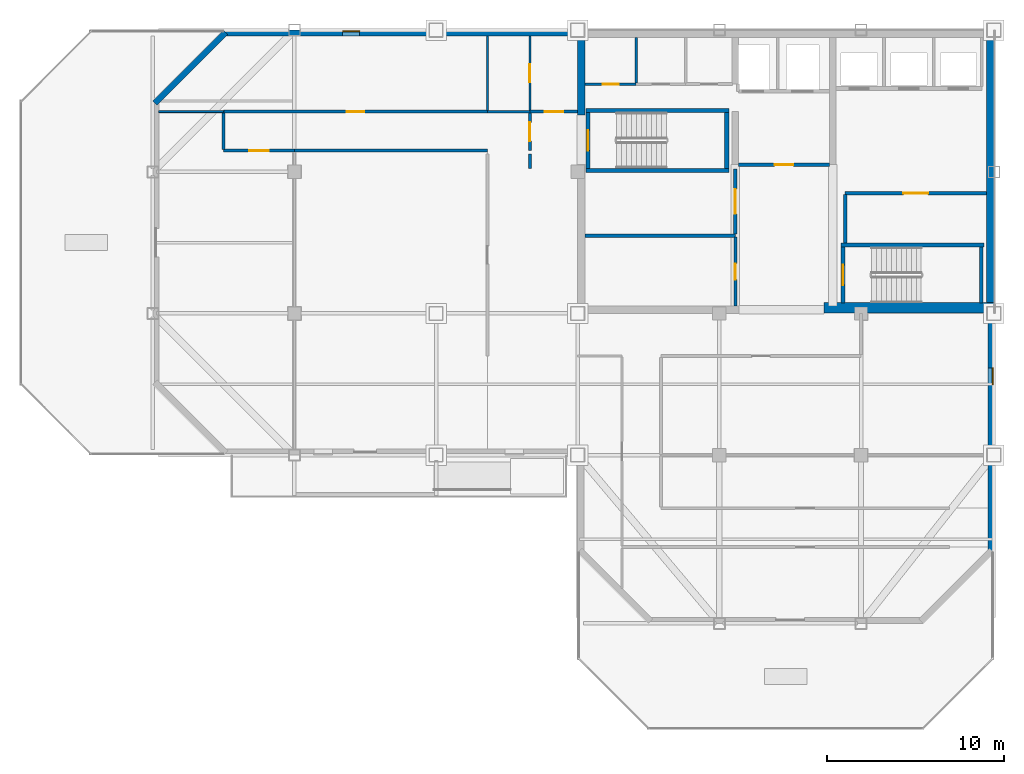
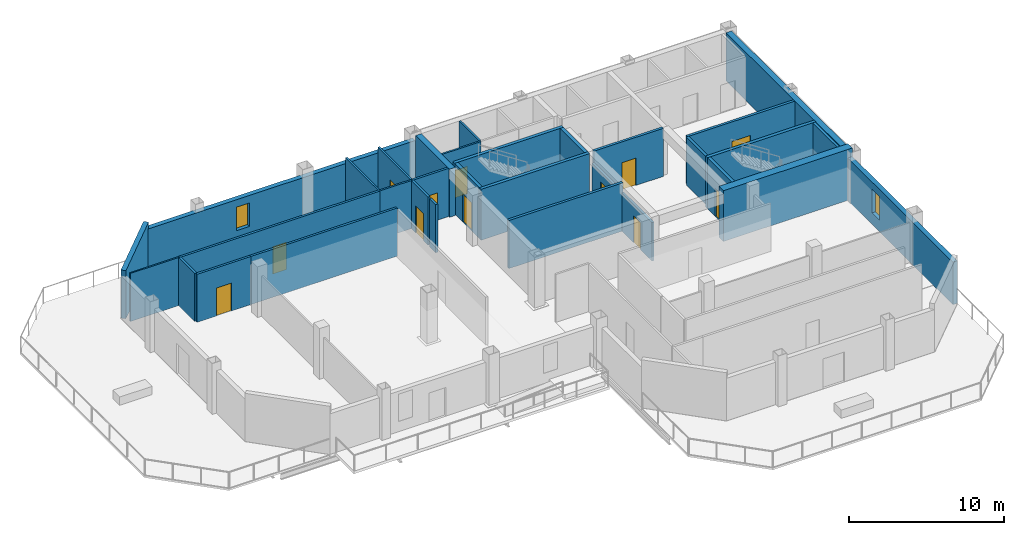
# One storey, part 3 of 8: 32 walls, 12 doors, 2 windows, 14 openings.
"""IFC4 building model written with IfcOpenShell, lengths in metres."""

from ifc_helpers import new_model, si_unit, direction, frame, frame_2d, origin, place, context, subcontext, project, spatial, rectangle, extrude, material, layer, layer_set, type_object, element, fill, save


model = new_model("IFC4")

# Units and contexts
model_context = context("Model", 3, precision=1e-05, world=origin(), true_north=direction((0.0, 1.0)))
body_context = subcontext(model_context, "Body", "Model", "MODEL_VIEW")
ifc_project = project(units=[si_unit("LENGTHUNIT", "METRE"), si_unit("AREAUNIT", "SQUARE_METRE"), si_unit("VOLUMEUNIT", "CUBIC_METRE"), si_unit("PLANEANGLEUNIT", "RADIAN"), si_unit("MASSUNIT", "GRAM", prefix="KILO")], contexts=[model_context])

# Site, building, storey
site_placement = place(None, origin())
site = spatial("IfcSite", under=ifc_project, at=site_placement, CompositionType="ELEMENT")
building_placement = place(site_placement, origin())
building = spatial("IfcBuilding", under=site, at=building_placement, Name="Qianrong Seaharbour Tower", CompositionType="ELEMENT")
storey_placement = place(building_placement, frame((0.0, 0.0, 287.199951171875)))
storey = spatial("IfcBuildingStorey", under=building, at=storey_placement, Name="L69", CompositionType="ELEMENT", Elevation=287.199951171875)

# Walls
ifc_material_1 = material(Name="Concrete C50/60", Category="concrete")
ifc_layer_1 = layer(ifc_material_1, 0.419921875)
ifc_layer_set_1 = layer_set([ifc_layer_1], Name="Concrete C50/60")
wall_type_1 = type_object("IfcWallType", Name="WALL-CORE-420", PredefinedType="SHEAR", material=ifc_layer_set_1)
wall_1_placement = place(storey_placement, frame((63.7900390625, 36.320068359375, 0.0), z_axis=(0.0, 0.0, 1.0), x_axis=(0.0, 1.0, 0.0)))
element("IfcWall", 1, at=wall_1_placement, inside=storey, type_object=wall_type_1, Name="L69 East Core Shear Wall", PredefinedType="SHEAR", context=body_context, shape_type="SweptSolid", body=[
    extrude(rectangle(XDim=15.260009765625, YDim=0.419921875, at=frame_2d((7.6298828125, 0.0))), origin(), (0.0, 0.0, 1.0), 3.78515625),
])
wall_2_placement = place(storey_placement, frame((40.7099609375, 47.199951171875, 0.0), z_axis=(0.0, 0.0, 1.0), x_axis=(0.0, 1.0, 0.0)))
element("IfcWall", 2, at=wall_2_placement, inside=storey, type_object=wall_type_1, Name="L69 West Core Shear Wall North", PredefinedType="SHEAR", context=body_context, shape_type="SweptSolid", body=[
    extrude(rectangle(XDim=4.380126953125, YDim=0.419921875, at=frame_2d((2.18994140625, 0.0))), origin(), (0.0, 0.0, 1.0), 3.78515625),
])
ifc_material_2 = material(Name="Concrete C70/85", Category="concrete")
ifc_layer_2 = layer(ifc_material_2, 0.580078125)
ifc_layer_set_2 = layer_set([ifc_layer_2], Name="Concrete C70/85")
wall_type_2 = type_object("IfcWallType", Name="WALL-CORE-580", PredefinedType="SHEAR", material=ifc_layer_set_2)
wall_3_placement = place(storey_placement, frame((54.39990234375, 36.320068359375, 0.0), z_axis=(0.0, 0.0, 1.0), x_axis=(1.0, 0.0, 0.0)))
element("IfcWall", 3, at=wall_3_placement, inside=storey, type_object=wall_type_2, Name="L69 South Core Shear Wall S3", PredefinedType="SHEAR", context=body_context, shape_type="SweptSolid", body=[
    extrude(rectangle(XDim=9.60009765625, YDim=0.580078125, at=frame_2d((4.800048828125, 0.0))), origin(), (0.0, 0.0, 1.0), 4.0),
])

# Wall, opening, door
ifc_material_3 = material(Name="Fire-rated acoustic gypsum board partition")
ifc_layer_3 = layer(ifc_material_3, 0.1650390625)
ifc_layer_set_3 = layer_set([ifc_layer_3], Name="Fire-rated acoustic gypsum board partition")
wall_type_3 = type_object("IfcWallType", Name="WALL-CORR-PART-165", PredefinedType="PARTITIONING", material=ifc_layer_set_3)
wall_4_placement = place(storey_placement, frame((37.800048828125, 47.39990234375, 0.0), z_axis=(0.0, 0.0, 1.0), x_axis=(1.0, 0.0, 0.0)))
wall_4 = element("IfcWall", 4, at=wall_4_placement, inside=storey, type_object=wall_type_3, Name="L69 Interior Partition Wall 001", PredefinedType="PARTITIONING", context=body_context, shape_type="SweptSolid", body=[
    extrude(rectangle(XDim=2.699951171875, YDim=0.1650390625, at=frame_2d((1.35009765625, 0.0))), origin(), (0.0, 0.0, 1.0), 3.78515625),
])
opening_1_placement = place(wall_4_placement, frame((0.824951171875, 0.0, 0.0)))
opening_1 = element("IfcOpeningElement", 5, at=opening_1_placement, cuts=wall_4, Name="Opening DC-01", PredefinedType="OPENING", context=body_context, shape_type="SweptSolid", body=[
    extrude(rectangle(XDim=1.050048828125, YDim=2.14990234375, at=frame_2d((0.52490234375, 1.074951171875))), frame((0.0, 0.092529296875, 0.0), z_axis=(0.0, -1.0, 0.0), x_axis=(1.0, 0.0, 0.0)), (0.0, 0.0, 1.0), 0.18505859375),
])
ifc_material_4 = material(Name="Acoustic timber and galvanized steel fire door assembly", Category="steel")
door_type_1 = type_object("IfcDoorType", Name="DOOR-CORR-FD60-1050x2150", OperationType="NOTDEFINED", PredefinedType="DOOR", material=ifc_material_4)
door_1_placement = place(opening_1_placement, origin())
door_1 = element("IfcDoor", 6, at=door_1_placement, inside=storey, type_object=door_type_1, Name="L69 Smokeproof Stair Vestibule ST-1 Door", OperationType="SINGLE_SWING_LEFT", OverallHeight=2.14990234375, OverallWidth=1.050048828125, PredefinedType="DOOR", context=body_context, shape_type="SweptSolid", body=[
    extrude(rectangle(XDim=1.050048828125, YDim=2.14990234375, at=frame_2d((0.52490234375, 1.074951171875))), frame((0.0, 0.02490234375, 0.0), z_axis=(0.0, -1.0, 0.0), x_axis=(1.0, 0.0, 0.0)), (0.0, 0.0, 1.0), 0.050048828125),
])
fill(opening_1, door_1)

wall_5_placement = place(storey_placement, frame((37.800048828125, 45.199951171875, 0.0), z_axis=(0.0, 0.0, 1.0), x_axis=(0.0, 1.0, 0.0)))
wall_5 = element("IfcWall", 7, at=wall_5_placement, inside=storey, type_object=wall_type_3, Name="L69 Interior Partition Wall 002", PredefinedType="PARTITIONING", context=body_context, shape_type="SweptSolid", body=[
    extrude(rectangle(XDim=2.12548828125, YDim=0.1650390625, at=frame_2d((1.062744140625, 0.0))), origin(), (0.0, 0.0, 1.0), 3.78515625),
])
opening_2_placement = place(wall_5_placement, frame((0.537841796875, 0.0, 0.0)))
opening_2 = element("IfcOpeningElement", 8, at=opening_2_placement, cuts=wall_5, Name="Opening DC-01", PredefinedType="OPENING", context=body_context, shape_type="SweptSolid", body=[
    extrude(rectangle(XDim=1.050048828125, YDim=2.14990234375, at=frame_2d((0.52490234375, 1.074951171875))), frame((0.0, 0.092529296875, 0.0), z_axis=(0.0, -1.0, 0.0), x_axis=(1.0, 0.0, 0.0)), (0.0, 0.0, 1.0), 0.18505859375),
])
door_2_placement = place(opening_2_placement, origin())
door_2 = element("IfcDoor", 9, at=door_2_placement, inside=storey, type_object=door_type_1, Name="L69 Smokeproof Stair Vestibule ST-1 Door", OperationType="SINGLE_SWING_RIGHT", OverallHeight=2.14990234375, OverallWidth=1.050048828125, PredefinedType="DOOR", context=body_context, shape_type="SweptSolid", body=[
    extrude(rectangle(XDim=1.050048828125, YDim=2.14990234375, at=frame_2d((0.52490234375, 1.074951171875))), frame((0.0, 0.02490234375, 0.0), z_axis=(0.0, -1.0, 0.0), x_axis=(1.0, 0.0, 0.0)), (0.0, 0.0, 1.0), 0.050048828125),
])
fill(opening_2, door_2)

# Wall
wall_6_placement = place(storey_placement, frame((37.800048828125, 44.199951171875, 0.0), z_axis=(0.0, 0.0, 1.0), x_axis=(0.0, 1.0, 0.0)))
element("IfcWall", 10, at=wall_6_placement, inside=storey, type_object=wall_type_3, Name="L69 Interior Partition Wall 003", PredefinedType="PARTITIONING", context=body_context, shape_type="SweptSolid", body=[
    extrude(rectangle(XDim=0.800048828125, YDim=0.1650390625, at=frame_2d((0.39990234375, 0.0))), origin(), (0.0, 0.0, 1.0), 3.78515625),
])

# Wall, opening, door
wall_7_placement = place(storey_placement, frame((49.39990234375, 36.419921875, 0.0), z_axis=(0.0, 0.0, 1.0), x_axis=(0.0, 1.0, 0.0)))
wall_7 = element("IfcWall", 11, at=wall_7_placement, inside=storey, type_object=wall_type_3, Name="L69 Interior Partition Wall 011", PredefinedType="PARTITIONING", context=body_context, shape_type="SweptSolid", body=[
    extrude(rectangle(XDim=3.89306640625, YDim=0.1650390625, at=frame_2d((1.946533203125, 0.0))), origin(), (0.0, 0.0, 1.0), 3.027099609375),
])
opening_3_placement = place(wall_7_placement, frame((1.49658203125, 0.0, 0.0)))
opening_3 = element("IfcOpeningElement", 12, at=opening_3_placement, cuts=wall_7, Name="Opening DS-01", PredefinedType="OPENING", context=body_context, shape_type="SweptSolid", body=[
    extrude(rectangle(XDim=0.89990234375, YDim=2.14990234375, at=frame_2d((0.449951171875, 1.074951171875))), frame((0.0, 0.092529296875, 0.0), z_axis=(0.0, -1.0, 0.0), x_axis=(1.0, 0.0, 0.0)), (0.0, 0.0, 1.0), 0.18505859375),
])
door_type_2 = type_object("IfcDoorType", Name="DOOR-STORE-900x2150", OperationType="NOTDEFINED", PredefinedType="DOOR", material=ifc_material_4)
door_3_placement = place(opening_3_placement, origin())
door_3 = element("IfcDoor", 13, at=door_3_placement, inside=storey, type_object=door_type_2, Name="L69 Corporate Archive Room Door", OperationType="SINGLE_SWING_LEFT", OverallHeight=2.14990234375, OverallWidth=0.89990234375, PredefinedType="DOOR", context=body_context, shape_type="SweptSolid", body=[
    extrude(rectangle(XDim=0.89990234375, YDim=2.14990234375, at=frame_2d((0.449951171875, 1.074951171875))), frame((0.0, 0.02490234375, 0.0), z_axis=(0.0, -1.0, 0.0), x_axis=(1.0, 0.0, 0.0)), (0.0, 0.0, 1.0), 0.050048828125),
])
fill(opening_3, door_3)

wall_8_placement = place(storey_placement, frame((20.5, 47.39990234375, 0.0), z_axis=(0.0, 0.0, 1.0), x_axis=(1.0, 0.0, 0.0)))
wall_8 = element("IfcWall", 14, at=wall_8_placement, inside=storey, type_object=wall_type_3, Name="L69 Interior Partition Wall 018", PredefinedType="PARTITIONING", context=body_context, shape_type="SweptSolid", body=[
    extrude(rectangle(XDim=14.89990234375, YDim=0.1650390625, at=frame_2d((7.449951171875, 0.0))), origin(), (0.0, 0.0, 1.0), 3.78515625),
])
opening_4_placement = place(wall_8_placement, frame((6.949951171875, 0.0, 0.0)))
opening_4 = element("IfcOpeningElement", 15, at=opening_4_placement, cuts=wall_8, Name="Opening DO-01", PredefinedType="OPENING", context=body_context, shape_type="SweptSolid", body=[
    extrude(rectangle(XDim=1.0, YDim=2.14990234375, at=frame_2d((0.5, 1.074951171875))), frame((0.0, 0.092529296875, 0.0), z_axis=(0.0, -1.0, 0.0), x_axis=(1.0, 0.0, 0.0)), (0.0, 0.0, 1.0), 0.18505859375),
])
door_type_3 = type_object("IfcDoorType", Name="DOOR-OFFICE-1000x2150", OperationType="NOTDEFINED", PredefinedType="DOOR", material=ifc_material_4)
door_4_placement = place(opening_4_placement, origin())
door_4 = element("IfcDoor", 16, at=door_4_placement, inside=storey, type_object=door_type_3, Name="L69 Transfer Hub Open-Plan Office Door", OperationType="SINGLE_SWING_LEFT", OverallHeight=2.14990234375, OverallWidth=1.0, PredefinedType="DOOR", context=body_context, shape_type="SweptSolid", body=[
    extrude(rectangle(XDim=1.0, YDim=2.14990234375, at=frame_2d((0.5, 1.074951171875))), frame((0.0, 0.02490234375, 0.0), z_axis=(0.0, -1.0, 0.0), x_axis=(1.0, 0.0, 0.0)), (0.0, 0.0, 1.0), 0.050048828125),
])
fill(opening_4, door_4)

wall_9_placement = place(storey_placement, frame((24.5, 45.199951171875, 0.0), z_axis=(0.0, 0.0, 1.0), x_axis=(-1.0, 0.0, 0.0)))
wall_9 = element("IfcWall", 17, at=wall_9_placement, inside=storey, type_object=wall_type_3, Name="L69 Interior Partition Wall 019", PredefinedType="PARTITIONING", context=body_context, shape_type="SweptSolid", body=[
    extrude(rectangle(XDim=4.0, YDim=0.1650390625, at=frame_2d((2.0, 0.0))), origin(), (0.0, 0.0, 1.0), 3.78515625),
])
opening_5_placement = place(wall_9_placement, frame((1.449951171875, 0.0, 0.0)))
opening_5 = element("IfcOpeningElement", 18, at=opening_5_placement, cuts=wall_9, Name="Opening DM-01", PredefinedType="OPENING", context=body_context, shape_type="SweptSolid", body=[
    extrude(rectangle(XDim=1.10009765625, YDim=2.199951171875, at=frame_2d((0.550048828125, 1.10009765625))), frame((0.0, 0.092529296875, 0.0), z_axis=(0.0, -1.0, 0.0), x_axis=(1.0, 0.0, 0.0)), (0.0, 0.0, 1.0), 0.18505859375),
])
door_type_4 = type_object("IfcDoorType", Name="DOOR-MEET-1100x2200", OperationType="NOTDEFINED", PredefinedType="DOOR", material=ifc_material_4)
door_5_placement = place(opening_5_placement, origin())
door_5 = element("IfcDoor", 19, at=door_5_placement, inside=storey, type_object=door_type_4, Name="L69 Harbour Panorama Boardroom 1 Door", OperationType="SINGLE_SWING_RIGHT", OverallHeight=2.199951171875, OverallWidth=1.10009765625, PredefinedType="DOOR", context=body_context, shape_type="SweptSolid", body=[
    extrude(rectangle(XDim=1.10009765625, YDim=2.199951171875, at=frame_2d((0.550048828125, 1.10009765625))), frame((0.0, 0.02490234375, 0.0), z_axis=(0.0, -1.0, 0.0), x_axis=(1.0, 0.0, 0.0)), (0.0, 0.0, 1.0), 0.050048828125),
])
fill(opening_5, door_5)

# Walls
wall_10_placement = place(storey_placement, frame((20.5, 45.2744140625, 0.0), z_axis=(0.0, 0.0, 1.0), x_axis=(0.0, 1.0, 0.0)))
element("IfcWall", 20, at=wall_10_placement, inside=storey, type_object=wall_type_3, Name="L69 Interior Partition Wall 020", PredefinedType="PARTITIONING", context=body_context, shape_type="SweptSolid", body=[
    extrude(rectangle(XDim=2.051025390625, YDim=0.1650390625, at=frame_2d((1.025390625, 0.0))), origin(), (0.0, 0.0, 1.0), 3.78515625),
])
wall_11_placement = place(storey_placement, frame((35.39990234375, 45.199951171875, 0.0), z_axis=(0.0, 0.0, 1.0), x_axis=(-1.0, 0.0, 0.0)))
element("IfcWall", 21, at=wall_11_placement, inside=storey, type_object=wall_type_3, Name="L69 Interior Partition Wall 021", PredefinedType="PARTITIONING", context=body_context, shape_type="SweptSolid", body=[
    extrude(rectangle(XDim=10.89990234375, YDim=0.1650390625, at=frame_2d((5.449951171875, 0.0))), origin(), (0.0, 0.0, 1.0), 3.78515625),
])
ifc_material_5 = material(Name="Demountable aluminium-framed acoustic office partition", Category="aluminium")
ifc_layer_4 = layer(ifc_material_5, 0.110107421875)
ifc_layer_set_4 = layer_set([ifc_layer_4], Name="Demountable aluminium-framed acoustic office partition")
wall_type_4 = type_object("IfcWallType", Name="WALL-DEMOUNT-110", PredefinedType="MOVABLE", material=ifc_layer_set_4)
wall_12_placement = place(storey_placement, frame((20.5, 47.39990234375, 0.0), z_axis=(0.0, 0.0, 1.0), x_axis=(-1.0, 0.0, 0.0)))
element("IfcWall", 22, at=wall_12_placement, inside=storey, type_object=wall_type_4, Name="L69 Interior Partition Wall 032", PredefinedType="MOVABLE", context=body_context, shape_type="SweptSolid", body=[
    extrude(rectangle(XDim=3.66796875, YDim=0.110107421875, at=frame_2d((1.833984375, 0.0))), origin(), (0.0, 0.0, 1.0), 3.78515625),
])
ifc_material_6 = material(Name="Unitised buff brick on Precast concrete C45/55", Category="masonry")
ifc_layer_5 = layer(ifc_material_6, 0.340087890625)
ifc_layer_set_5 = layer_set([ifc_layer_5], Name="Unitised buff brick on Precast concrete C45/55")
wall_type_5 = type_object("IfcWallType", Name="WALL-EXT-BRICK-BUFF-340", PredefinedType="SOLIDWALL", material=ifc_layer_set_5)
wall_13_placement = place(storey_placement, frame((16.6201171875, 47.8798828125, 0.0), z_axis=(0.0, 0.0, 1.0), x_axis=(0.707106781187, 0.707106781187, 0.0)))
element("IfcWall", 23, at=wall_13_placement, inside=storey, type_object=wall_type_5, Name="L69 Exterior Masonry Facade Wall E04", PredefinedType="SOLIDWALL", context=body_context, shape_type="SweptSolid", body=[
    extrude(rectangle(XDim=5.65673828125, YDim=0.340087890625, at=frame_2d((2.828369140625, 0.0))), origin(), (0.0, 0.0, 1.0), 3.78515625),
])

# Wall, opening, window
wall_14_placement = place(storey_placement, frame((20.5, 51.830078125, 0.0), z_axis=(0.0, 0.0, 1.0), x_axis=(1.0, 0.0, 0.0)))
wall_14 = element("IfcWall", 24, at=wall_14_placement, inside=storey, type_object=wall_type_5, Name="L69 Exterior Masonry Facade Wall NORTH_WING", PredefinedType="SOLIDWALL", context=body_context, shape_type="SweptSolid", body=[
    extrude(rectangle(XDim=20.02001953125, YDim=0.340087890625, at=frame_2d((10.010009765625, 0.0))), origin(), (0.0, 0.0, 1.0), 3.3349609375),
])
opening_6_placement = place(wall_14_placement, frame((6.72509765625, 0.0, 0.89990234375)))
opening_6 = element("IfcOpeningElement", 25, at=opening_6_placement, cuts=wall_14, Name="Opening WN-13", PredefinedType="OPENING", context=body_context, shape_type="SweptSolid", body=[
    extrude(rectangle(XDim=0.949951171875, YDim=1.85009765625, at=frame_2d((0.47509765625, 0.925048828125))), frame((0.0, 0.18017578125, 0.0), z_axis=(0.0, -1.0, 0.0), x_axis=(1.0, 0.0, 0.0)), (0.0, 0.0, 1.0), 0.360107421875),
])
ifc_material_7 = material(Name="Insulated low-e double glazing in thermally broken aluminium 6063-T6 frame", Category="aluminium")
window_type = type_object("IfcWindowType", Name="WIN-NARROW-950x1850", PartitioningType="SINGLE_PANEL", PredefinedType="WINDOW", material=ifc_material_7)
window_1_placement = place(opening_6_placement, origin())
window_1 = element("IfcWindow", 26, at=window_1_placement, inside=storey, type_object=window_type, Name="L69 Deep-Set Punched Window 05.02", OverallHeight=1.85009765625, OverallWidth=0.949951171875, PartitioningType="SINGLE_PANEL", PredefinedType="WINDOW", context=body_context, shape_type="SweptSolid", body=[
    extrude(rectangle(XDim=0.949951171875, YDim=1.85009765625, at=frame_2d((0.47509765625, 0.925048828125))), frame((0.0, 0.150146484375, 0.0), z_axis=(0.0, -1.0, 0.0), x_axis=(1.0, 0.0, 0.0)), (0.0, 0.0, 1.0), 0.06005859375),
])
fill(opening_6, window_1)

wall_15_placement = place(storey_placement, frame((63.830078125, 36.050048828125, 0.0), z_axis=(0.0, 0.0, 1.0), x_axis=(0.0, -1.0, 0.0)))
wall_15 = element("IfcWall", 27, at=wall_15_placement, inside=storey, type_object=wall_type_5, Name="L69 Exterior Masonry Facade Wall EAST_WING", PredefinedType="SOLIDWALL", context=body_context, shape_type="SweptSolid", body=[
    extrude(rectangle(XDim=13.550048828125, YDim=0.340087890625, at=frame_2d((6.77490234375, 0.0))), origin(), (0.0, 0.0, 1.0), 3.3349609375),
])
opening_7_placement = place(wall_15_placement, frame((3.125, 0.0, 0.89990234375)))
opening_7 = element("IfcOpeningElement", 28, at=opening_7_placement, cuts=wall_15, Name="Opening WN-13", PredefinedType="OPENING", context=body_context, shape_type="SweptSolid", body=[
    extrude(rectangle(XDim=0.949951171875, YDim=1.85009765625, at=frame_2d((0.47509765625, 0.925048828125))), frame((0.0, 0.18017578125, 0.0), z_axis=(0.0, -1.0, 0.0), x_axis=(1.0, 0.0, 0.0)), (0.0, 0.0, 1.0), 0.360107421875),
])
window_2_placement = place(opening_7_placement, origin())
window_2 = element("IfcWindow", 29, at=window_2_placement, inside=storey, type_object=window_type, Name="L69 Deep-Set Punched Window 06.01", OverallHeight=1.85009765625, OverallWidth=0.949951171875, PartitioningType="SINGLE_PANEL", PredefinedType="WINDOW", context=body_context, shape_type="SweptSolid", body=[
    extrude(rectangle(XDim=0.949951171875, YDim=1.85009765625, at=frame_2d((0.47509765625, 0.925048828125))), frame((0.0, 0.150146484375, 0.0), z_axis=(0.0, -1.0, 0.0), x_axis=(1.0, 0.0, 0.0)), (0.0, 0.0, 1.0), 0.06005859375),
])
fill(opening_7, window_2)

# Wall, opening, door
ifc_material_8 = material(Name="Double fire-rated gypsum board acoustic partition")
ifc_layer_6 = layer(ifc_material_8, 0.18994140625)
ifc_layer_set_6 = layer_set([ifc_layer_6], Name="Double fire-rated gypsum board acoustic partition")
wall_type_6 = type_object("IfcWallType", Name="WALL-FIRE-PART-190", PredefinedType="PARTITIONING", material=ifc_layer_set_6)
wall_16_placement = place(storey_placement, frame((54.73291015625, 44.39990234375, 0.0), z_axis=(0.0, 0.0, 1.0), x_axis=(-1.0, 0.0, 0.0)))
wall_16 = element("IfcWall", 30, at=wall_16_placement, inside=storey, type_object=wall_type_6, Name="L69 Interior Partition Wall 010", PredefinedType="PARTITIONING", context=body_context, shape_type="SweptSolid", body=[
    extrude(rectangle(XDim=5.166015625, YDim=0.18994140625, at=frame_2d((2.5830078125, 0.0))), origin(), (0.0, 0.0, 1.0), 3.78515625),
])
opening_8_placement = place(wall_16_placement, frame((2.05810546875, 0.0, 0.0)))
opening_8 = element("IfcOpeningElement", 31, at=opening_8_placement, cuts=wall_16, Name="Opening DC-01", PredefinedType="OPENING", context=body_context, shape_type="SweptSolid", body=[
    extrude(rectangle(XDim=1.050048828125, YDim=2.14990234375, at=frame_2d((0.52490234375, 1.074951171875))), frame((0.0, 0.10498046875, 0.0), z_axis=(0.0, -1.0, 0.0), x_axis=(1.0, 0.0, 0.0)), (0.0, 0.0, 1.0), 0.2099609375),
])
door_6_placement = place(opening_8_placement, origin())
door_6 = element("IfcDoor", 32, at=door_6_placement, inside=storey, type_object=door_type_1, Name="L69 Firefighting Lift Lobby Door", OperationType="SINGLE_SWING_RIGHT", OverallHeight=2.14990234375, OverallWidth=1.050048828125, PredefinedType="DOOR", context=body_context, shape_type="SweptSolid", body=[
    extrude(rectangle(XDim=1.050048828125, YDim=2.14990234375, at=frame_2d((0.52490234375, 1.074951171875))), frame((0.0, 0.02490234375, 0.0), z_axis=(0.0, -1.0, 0.0), x_axis=(1.0, 0.0, 0.0)), (0.0, 0.0, 1.0), 0.050048828125),
])
fill(opening_8, door_6)

wall_17_placement = place(storey_placement, frame((49.39990234375, 40.487060546875, 0.0), z_axis=(0.0, 0.0, 1.0), x_axis=(0.0, 1.0, 0.0)))
wall_17 = element("IfcWall", 33, at=wall_17_placement, inside=storey, type_object=wall_type_6, Name="L69 Interior Partition Wall 012", PredefinedType="PARTITIONING", context=body_context, shape_type="SweptSolid", body=[
    extrude(rectangle(XDim=3.662841796875, YDim=0.18994140625, at=frame_2d((1.83154296875, 0.0))), origin(), (0.0, 0.0, 1.0), 3.027099609375),
])
opening_9_placement = place(wall_17_placement, frame((1.131591796875, 0.0, 0.0)))
opening_9 = element("IfcOpeningElement", 34, at=opening_9_placement, cuts=wall_17, Name="Opening DP-01", PredefinedType="OPENING", context=body_context, shape_type="SweptSolid", body=[
    extrude(rectangle(XDim=1.39990234375, YDim=2.25, at=frame_2d((0.699951171875, 1.125))), frame((0.0, 0.10498046875, 0.0), z_axis=(0.0, -1.0, 0.0), x_axis=(1.0, 0.0, 0.0)), (0.0, 0.0, 1.0), 0.2099609375),
])
door_type_5 = type_object("IfcDoorType", Name="DOOR-PLANT-PAIR-1400x2250", OperationType="DOUBLE_DOOR_SINGLE_SWING", PredefinedType="DOOR", material=ifc_material_4)
door_7_placement = place(opening_9_placement, origin())
door_7 = element("IfcDoor", 35, at=door_7_placement, inside=storey, type_object=door_type_5, Name="L69 Telecom Server Room Door", OperationType="DOUBLE_DOOR_SINGLE_SWING", OverallHeight=2.25, OverallWidth=1.39990234375, PredefinedType="DOOR", context=body_context, shape_type="SweptSolid", body=[
    extrude(rectangle(XDim=1.39990234375, YDim=2.25, at=frame_2d((0.699951171875, 1.125))), frame((0.0, 0.02490234375, 0.0), z_axis=(0.0, -1.0, 0.0), x_axis=(1.0, 0.0, 0.0)), (0.0, 0.0, 1.0), 0.050048828125),
])
fill(opening_9, door_7)

# Walls
wall_18_placement = place(storey_placement, frame((55.60009765625, 42.712890625, 0.0), z_axis=(0.0, 0.0, 1.0), x_axis=(0.0, -1.0, 0.0)))
element("IfcWall", 36, at=wall_18_placement, inside=storey, type_object=wall_type_6, Name="L69 Interior Partition Wall 013", PredefinedType="PARTITIONING", context=body_context, shape_type="SweptSolid", body=[
    extrude(rectangle(XDim=2.73095703125, YDim=0.18994140625, at=frame_2d((1.365478515625, 0.0))), origin(), (0.0, 0.0, 1.0), 3.78515625),
])
wall_19_placement = place(storey_placement, frame((40.919921875, 40.39990234375, 0.0), z_axis=(0.0, 0.0, 1.0), x_axis=(1.0, 0.0, 0.0)))
element("IfcWall", 37, at=wall_19_placement, inside=storey, type_object=wall_type_6, Name="L69 Interior Partition Wall 014", PredefinedType="PARTITIONING", context=body_context, shape_type="SweptSolid", body=[
    extrude(rectangle(XDim=8.47998046875, YDim=0.18994140625, at=frame_2d((4.239990234375, 0.0))), origin(), (0.0, 0.0, 1.0), 3.78515625),
])

# Wall, opening, door
wall_20_placement = place(storey_placement, frame((63.580078125, 42.800048828125, 0.0), z_axis=(0.0, 0.0, 1.0), x_axis=(-1.0, 0.0, 0.0)))
wall_20 = element("IfcWall", 38, at=wall_20_placement, inside=storey, type_object=wall_type_6, Name="L69 Interior Partition Wall 015", PredefinedType="PARTITIONING", context=body_context, shape_type="SweptSolid", body=[
    extrude(rectangle(XDim=7.97998046875, YDim=0.18994140625, at=frame_2d((3.989990234375, 0.0))), origin(), (0.0, 0.0, 1.0), 3.78515625),
])
opening_10_placement = place(wall_20_placement, frame((3.2900390625, 0.0, 0.0)))
opening_10 = element("IfcOpeningElement", 39, at=opening_10_placement, cuts=wall_20, Name="Opening DP-01", PredefinedType="OPENING", context=body_context, shape_type="SweptSolid", body=[
    extrude(rectangle(XDim=1.39990234375, YDim=2.25, at=frame_2d((0.699951171875, 1.125))), frame((0.0, 0.10498046875, 0.0), z_axis=(0.0, -1.0, 0.0), x_axis=(1.0, 0.0, 0.0)), (0.0, 0.0, 1.0), 0.2099609375),
])
door_8_placement = place(opening_10_placement, origin())
door_8 = element("IfcDoor", 40, at=door_8_placement, inside=storey, type_object=door_type_5, Name="L69 Core Telecom Hub Room Door", OperationType="DOUBLE_DOOR_SINGLE_SWING", OverallHeight=2.25, OverallWidth=1.39990234375, PredefinedType="DOOR", context=body_context, shape_type="SweptSolid", body=[
    extrude(rectangle(XDim=1.39990234375, YDim=2.25, at=frame_2d((0.699951171875, 1.125))), frame((0.0, 0.02490234375, 0.0), z_axis=(0.0, -1.0, 0.0), x_axis=(1.0, 0.0, 0.0)), (0.0, 0.0, 1.0), 0.050048828125),
])
fill(opening_10, door_8)

# Walls
ifc_layer_7 = layer(ifc_material_1, 0.239990234375)
ifc_layer_set_7 = layer_set([ifc_layer_7], Name="Concrete C50/60")
wall_type_7 = type_object("IfcWallType", Name="WALL-SHAFT-RC240", PredefinedType="SOLIDWALL", material=ifc_layer_set_7)
for number, where, z_axis, x_axis, name in (
    (41, (40.9599609375, 47.469970703125, 0.0), (0.0, 0.0, 1.0), (1.0, 0.0, 0.0), "L69 ST-1 Structural Stair Core Wall N"),
    (42, (49.0400390625, 44.080078125, 0.0), (0.0, 0.0, 1.0), (-1.0, 0.0, 0.0), "L69 ST-1 Structural Stair Core Wall S"),
):
    element("IfcWall", number, at=place(storey_placement, frame(where, z_axis=z_axis, x_axis=x_axis)), inside=storey, type_object=wall_type_7, Name=name, PredefinedType="SOLIDWALL", context=body_context, shape_type="SweptSolid", body=[
        extrude(rectangle(XDim=8.080078125, YDim=0.239990234375, at=frame_2d((4.0400390625, 0.0))), origin(), (0.0, 0.0, 1.0), 4.0),
    ])

# Wall, opening, door
wall_21_placement = place(storey_placement, frame((41.080078125, 47.35009765625, 0.0), z_axis=(0.0, 0.0, 1.0), x_axis=(0.0, -1.0, 0.0)))
wall_21 = element("IfcWall", 43, at=wall_21_placement, inside=storey, type_object=wall_type_7, Name="L69 ST-1 Structural Stair Core Wall W", PredefinedType="SOLIDWALL", context=body_context, shape_type="SweptSolid", body=[
    extrude(rectangle(XDim=3.150146484375, YDim=0.239990234375, at=frame_2d((1.5751953125, 0.0))), origin(), (0.0, 0.0, 1.0), 4.0),
])
opening_11_placement = place(wall_21_placement, frame((1.0, 0.0, 0.0)))
opening_11 = element("IfcOpeningElement", 44, at=opening_11_placement, cuts=wall_21, Name="Opening SD-01", PredefinedType="OPENING", context=body_context, shape_type="SweptSolid", body=[
    extrude(rectangle(XDim=1.14990234375, YDim=2.199951171875, at=frame_2d((0.574951171875, 1.10009765625))), frame((0.0, 0.1298828125, 0.0), z_axis=(0.0, -1.0, 0.0), x_axis=(1.0, 0.0, 0.0)), (0.0, 0.0, 1.0), 0.260009765625),
])
door_type_6 = type_object("IfcDoorType", Name="DOOR-STAIR-FD60-1150x2200", OperationType="NOTDEFINED", PredefinedType="DOOR", material=ifc_material_4)
door_9_placement = place(opening_11_placement, origin())
door_9 = element("IfcDoor", 45, at=door_9_placement, inside=storey, type_object=door_type_6, Name="L69 ST-1 Protected Stair Door", OperationType="SINGLE_SWING_RIGHT", OverallHeight=2.199951171875, OverallWidth=1.14990234375, PredefinedType="DOOR", context=body_context, shape_type="SweptSolid", body=[
    extrude(rectangle(XDim=1.14990234375, YDim=2.199951171875, at=frame_2d((0.574951171875, 1.10009765625))), frame((0.0, 0.02490234375, 0.0), z_axis=(0.0, -1.0, 0.0), x_axis=(1.0, 0.0, 0.0)), (0.0, 0.0, 1.0), 0.050048828125),
])
fill(opening_11, door_9)

# Walls
wall_22_placement = place(storey_placement, frame((48.919921875, 44.199951171875, 0.0), z_axis=(0.0, 0.0, 1.0), x_axis=(0.0, 1.0, 0.0)))
element("IfcWall", 46, at=wall_22_placement, inside=storey, type_object=wall_type_7, Name="L69 ST-1 Structural Stair Core Wall E", PredefinedType="SOLIDWALL", context=body_context, shape_type="SweptSolid", body=[
    extrude(rectangle(XDim=3.150146484375, YDim=0.239990234375, at=frame_2d((1.5751953125, 0.0))), origin(), (0.0, 0.0, 1.0), 4.0),
])
wall_23_placement = place(storey_placement, frame((55.360107421875, 39.8701171875, 0.0), z_axis=(0.0, 0.0, 1.0), x_axis=(1.0, 0.0, 0.0)))
element("IfcWall", 47, at=wall_23_placement, inside=storey, type_object=wall_type_7, Name="L69 ST-2 Structural Stair Core Wall N", PredefinedType="SOLIDWALL", context=body_context, shape_type="SweptSolid", body=[
    extrude(rectangle(XDim=8.079833984375, YDim=0.239990234375, at=frame_2d((4.0400390625, 0.0))), origin(), (0.0, 0.0, 1.0), 4.0),
])

# Wall, opening, door
wall_24_placement = place(storey_placement, frame((55.47998046875, 39.75, 0.0), z_axis=(0.0, 0.0, 1.0), x_axis=(0.0, -1.0, 0.0)))
wall_24 = element("IfcWall", 48, at=wall_24_placement, inside=storey, type_object=wall_type_7, Name="L69 ST-2 Structural Stair Core Wall W", PredefinedType="SOLIDWALL", context=body_context, shape_type="SweptSolid", body=[
    extrude(rectangle(XDim=3.14990234375, YDim=0.239990234375, at=frame_2d((1.574951171875, 0.0))), origin(), (0.0, 0.0, 1.0), 4.0),
])
opening_12_placement = place(wall_24_placement, frame((1.0, 0.0, 0.0)))
opening_12 = element("IfcOpeningElement", 49, at=opening_12_placement, cuts=wall_24, Name="Opening SD-01", PredefinedType="OPENING", context=body_context, shape_type="SweptSolid", body=[
    extrude(rectangle(XDim=1.14990234375, YDim=2.199951171875, at=frame_2d((0.574951171875, 1.10009765625))), frame((0.0, 0.1298828125, 0.0), z_axis=(0.0, -1.0, 0.0), x_axis=(1.0, 0.0, 0.0)), (0.0, 0.0, 1.0), 0.260009765625),
])
door_10_placement = place(opening_12_placement, origin())
door_10 = element("IfcDoor", 50, at=door_10_placement, inside=storey, type_object=door_type_6, Name="L69 ST-2 Protected Stair Door", OperationType="SINGLE_SWING_RIGHT", OverallHeight=2.199951171875, OverallWidth=1.14990234375, PredefinedType="DOOR", context=body_context, shape_type="SweptSolid", body=[
    extrude(rectangle(XDim=1.14990234375, YDim=2.199951171875, at=frame_2d((0.574951171875, 1.10009765625))), frame((0.0, 0.02490234375, 0.0), z_axis=(0.0, -1.0, 0.0), x_axis=(1.0, 0.0, 0.0)), (0.0, 0.0, 1.0), 0.050048828125),
])
fill(opening_12, door_10)

# Wall
wall_25_placement = place(storey_placement, frame((63.2900390625, 36.60009765625, 0.0), z_axis=(0.0, 0.0, 1.0), x_axis=(0.0, 1.0, 0.0)))
element("IfcWall", 51, at=wall_25_placement, inside=storey, type_object=wall_type_7, Name="L69 ST-2 Structural Stair Core Wall E", PredefinedType="SOLIDWALL", context=body_context, shape_type="SweptSolid", body=[
    extrude(rectangle(XDim=3.14990234375, YDim=0.179931640625, at=frame_2d((1.574951171875, 0.0))), origin(), (0.0, 0.0, 1.0), 4.0),
])

# Wall, opening, door
ifc_material_9 = material(Name="Water-resistant cement board sanitary partition")
ifc_layer_8 = layer(ifc_material_9, 0.1298828125)
ifc_layer_set_8 = layer_set([ifc_layer_8], Name="Water-resistant cement board sanitary partition")
wall_type_8 = type_object("IfcWallType", Name="WALL-WET-PART-130", PredefinedType="PARTITIONING", material=ifc_layer_set_8)
wall_26_placement = place(storey_placement, frame((37.800048828125, 47.474609375, 0.0), z_axis=(0.0, 0.0, 1.0), x_axis=(0.0, 1.0, 0.0)))
wall_26 = element("IfcWall", 52, at=wall_26_placement, inside=storey, type_object=wall_type_8, Name="L69 Interior Partition Wall 004", PredefinedType="PARTITIONING", context=body_context, shape_type="SweptSolid", body=[
    extrude(rectangle(XDim=4.193359375, YDim=0.1298828125, at=frame_2d((2.0966796875, 0.0))), origin(), (0.0, 0.0, 1.0), 3.78515625),
])
opening_13_placement = place(wall_26_placement, frame((1.5869140625, 0.0, 0.0)))
opening_13 = element("IfcOpeningElement", 53, at=opening_13_placement, cuts=wall_26, Name="Opening DAW-01", PredefinedType="OPENING", context=body_context, shape_type="SweptSolid", body=[
    extrude(rectangle(XDim=1.02001953125, YDim=2.14990234375, at=frame_2d((0.510009765625, 1.074951171875))), frame((0.0, 0.074951171875, 0.0), z_axis=(0.0, -1.0, 0.0), x_axis=(1.0, 0.0, 0.0)), (0.0, 0.0, 1.0), 0.14990234375),
])
door_type_7 = type_object("IfcDoorType", Name="DOOR-AWC-SLIDE-1020x2150", OperationType="SLIDING_TO_LEFT", PredefinedType="DOOR", material=ifc_material_4)
door_11_placement = place(opening_13_placement, origin())
door_11 = element("IfcDoor", 54, at=door_11_placement, inside=storey, type_object=door_type_7, Name="L69 Accessible Restroom WC Door", OperationType="SLIDING_TO_LEFT", OverallHeight=2.14990234375, OverallWidth=1.02001953125, PredefinedType="DOOR", context=body_context, shape_type="SweptSolid", body=[
    extrude(rectangle(XDim=1.02001953125, YDim=2.14990234375, at=frame_2d((0.510009765625, 1.074951171875))), frame((0.0, 0.02490234375, 0.0), z_axis=(0.0, -1.0, 0.0), x_axis=(1.0, 0.0, 0.0)), (0.0, 0.0, 1.0), 0.050048828125),
])
fill(opening_13, door_11)

# Walls
wall_27_placement = place(storey_placement, frame((37.800048828125, 47.39990234375, 0.0), z_axis=(0.0, 0.0, 1.0), x_axis=(-1.0, 0.0, 0.0)))
element("IfcWall", 55, at=wall_27_placement, inside=storey, type_object=wall_type_8, Name="L69 Interior Partition Wall 005", PredefinedType="PARTITIONING", context=body_context, shape_type="SweptSolid", body=[
    extrude(rectangle(XDim=2.400146484375, YDim=0.1298828125, at=frame_2d((1.2001953125, 0.0))), origin(), (0.0, 0.0, 1.0), 3.78515625),
])
wall_28_placement = place(storey_placement, frame((35.39990234375, 47.474609375, 0.0), z_axis=(0.0, 0.0, 1.0), x_axis=(0.0, 1.0, 0.0)))
element("IfcWall", 56, at=wall_28_placement, inside=storey, type_object=wall_type_8, Name="L69 Interior Partition Wall 006", PredefinedType="PARTITIONING", context=body_context, shape_type="SweptSolid", body=[
    extrude(rectangle(XDim=4.193359375, YDim=0.1298828125, at=frame_2d((2.0966796875, 0.0))), origin(), (0.0, 0.0, 1.0), 3.78515625),
])

# Wall, opening, door
wall_29_placement = place(storey_placement, frame((40.919921875, 48.949951171875, 0.0), z_axis=(0.0, 0.0, 1.0), x_axis=(1.0, 0.0, 0.0)))
wall_29 = element("IfcWall", 57, at=wall_29_placement, inside=storey, type_object=wall_type_8, Name="L69 Interior Partition Wall 007", PredefinedType="PARTITIONING", context=body_context, shape_type="SweptSolid", body=[
    extrude(rectangle(XDim=2.880126953125, YDim=0.1298828125, at=frame_2d((1.43994140625, 0.0))), origin(), (0.0, 0.0, 1.0), 3.78515625),
])
opening_14_placement = place(wall_29_placement, frame((0.97998046875, 0.0, 0.0)))
opening_14 = element("IfcOpeningElement", 58, at=opening_14_placement, cuts=wall_29, Name="Opening DW-01", PredefinedType="OPENING", context=body_context, shape_type="SweptSolid", body=[
    extrude(rectangle(XDim=0.919921875, YDim=2.14990234375, at=frame_2d((0.4599609375, 1.074951171875))), frame((0.0, 0.074951171875, 0.0), z_axis=(0.0, -1.0, 0.0), x_axis=(1.0, 0.0, 0.0)), (0.0, 0.0, 1.0), 0.14990234375),
])
door_type_8 = type_object("IfcDoorType", Name="DOOR-WC-920x2150", OperationType="NOTDEFINED", PredefinedType="DOOR", material=ifc_material_4)
door_12_placement = place(opening_14_placement, origin())
door_12 = element("IfcDoor", 59, at=door_12_placement, inside=storey, type_object=door_type_8, Name="L69 Male Restroom WC Door", OperationType="SINGLE_SWING_RIGHT", OverallHeight=2.14990234375, OverallWidth=0.919921875, PredefinedType="DOOR", context=body_context, shape_type="SweptSolid", body=[
    extrude(rectangle(XDim=0.919921875, YDim=2.14990234375, at=frame_2d((0.4599609375, 1.074951171875))), frame((0.0, 0.02490234375, 0.0), z_axis=(0.0, -1.0, 0.0), x_axis=(1.0, 0.0, 0.0)), (0.0, 0.0, 1.0), 0.050048828125),
])
fill(opening_14, door_12)

# Wall
wall_30_placement = place(storey_placement, frame((43.800048828125, 51.580078125, 0.0), z_axis=(0.0, 0.0, 1.0), x_axis=(0.0, -1.0, 0.0)))
element("IfcWall", 60, at=wall_30_placement, inside=storey, type_object=wall_type_8, Name="L69 Interior Partition Wall 016", PredefinedType="PARTITIONING", context=body_context, shape_type="SweptSolid", body=[
    extrude(rectangle(XDim=2.572998046875, YDim=0.1298828125, at=frame_2d((1.28662109375, 0.0))), origin(), (0.0, 0.0, 1.0), 3.78515625),
])

save(model, "model.ifc")
